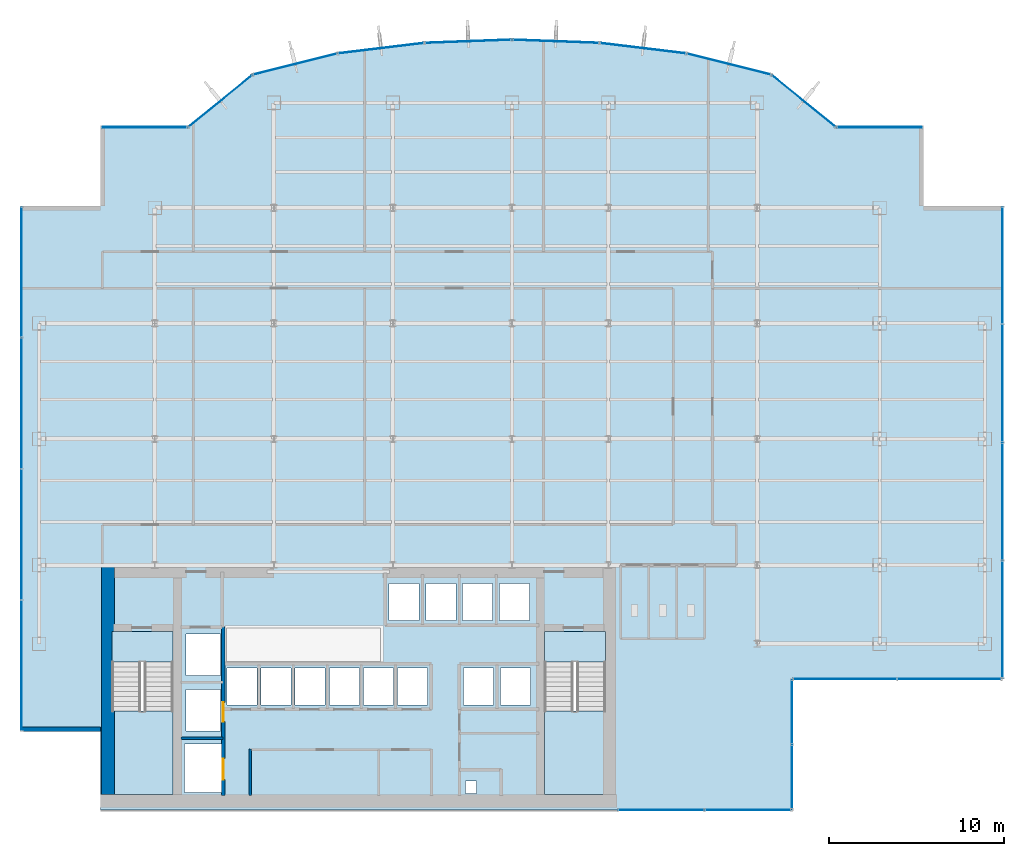
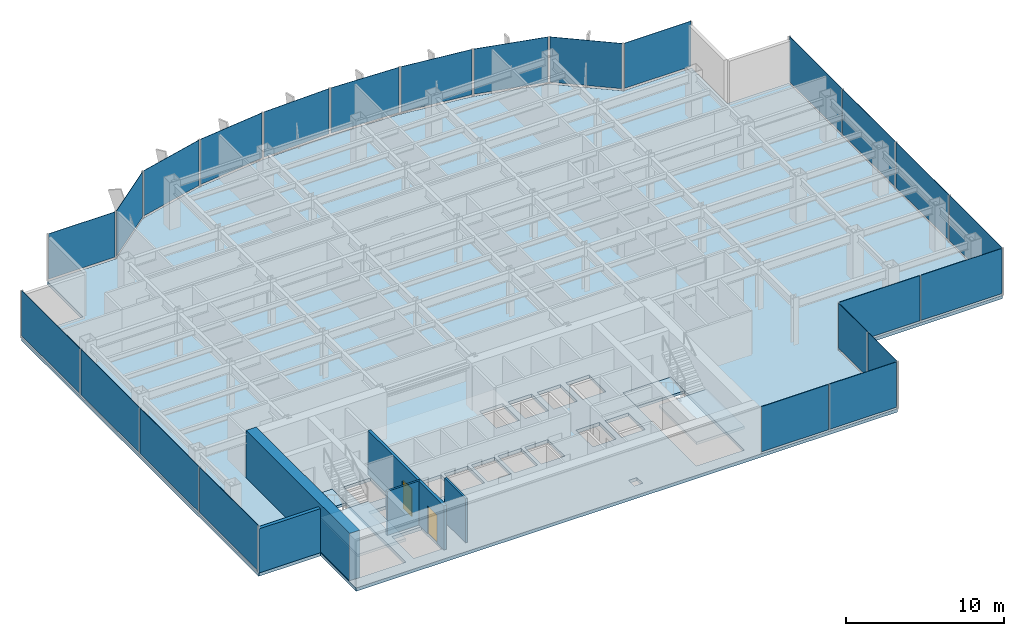
# One storey, part 20 of 26: 24 plates, 5 slabs, 5 walls, 2 doors, 2 openings, 17 elements without a shape of their own.
"""IFC4 building model written with IfcOpenShell, lengths in metres."""

from ifc_helpers import new_model, si_unit, derived_unit, direction, frame, frame_2d, origin, origin_2d, place, context, subcontext, project, spatial, polyline, rectangle, outline, extrude, source, transform, mapped, material, layer, layer_set, type_object, element, fill, aggregate, save


model = new_model("IFC4")

# Units and contexts
model_context = context("Model", 3, precision=1e-05, world=origin(), true_north=direction((0.0, 1.0)))
body_context = subcontext(model_context, "Body", "Model", "MODEL_VIEW")
ifc_project = project(units=[si_unit("LENGTHUNIT", "METRE"), si_unit("AREAUNIT", "SQUARE_METRE"), si_unit("VOLUMEUNIT", "CUBIC_METRE"), si_unit("PLANEANGLEUNIT", "RADIAN"), si_unit("MASSUNIT", "GRAM", prefix="KILO"), derived_unit("THERMALTRANSMITTANCEUNIT", [(si_unit("POWERUNIT", "WATT"), 1), (si_unit("LENGTHUNIT", "METRE"), -2), (si_unit("THERMODYNAMICTEMPERATUREUNIT", "KELVIN"), -1)])], contexts=[model_context])

# Site, building, storey
site_placement = place(None, origin())
site = spatial("IfcSite", under=ifc_project, at=site_placement, CompositionType="ELEMENT")
building_placement = place(site_placement, origin())
building = spatial("IfcBuilding", under=site, at=building_placement, Name="Skarnbrae Concourse Arena and Tower", CompositionType="ELEMENT")
storey_placement = place(building_placement, frame((0.0, 0.0, 121.5)))
storey = spatial("IfcBuildingStorey", under=building, at=storey_placement, Name="L30", CompositionType="ELEMENT", Elevation=121.5)

# Stair, slab
ifc_material_1 = material(Name="Concrete 40 MPa (C40/50)", Category="concrete")
stair_type = type_object("IfcStairType", Name="STAIR-DOGLEG-1650", PredefinedType="HALF_TURN_STAIR", material=ifc_material_1)
stair_1_placement = place(storey_placement, origin())
stair_1 = element("IfcStair", 1, at=stair_1_placement, inside=storey, type_object=stair_type, Name="L30 Protected Exit Stair ST-1", PredefinedType="HALF_TURN_STAIR")
ifc_layer_1 = layer(ifc_material_1, 0.199951171875)
ifc_layer_set_1 = layer_set([ifc_layer_1], Name="Concrete 40 MPa (C40/50)")
slab_type_1 = type_object("IfcSlabType", Name="SLAB-LANDING-200", PredefinedType="LANDING", material=ifc_layer_set_1)
slab_1_placement = place(storey_placement, frame((0.0, 0.0, 1.625)))
slab_1 = element("IfcSlab", 2, at=slab_1_placement, type_object=slab_type_1, Name="ST-1 landing 1", PredefinedType="LANDING", context=body_context, shape_type="SweptSolid", body=[
    extrude(outline(polyline([(5.14990234375, 5.64990234375), (5.14990234375, 0.89990234375), (8.64990234375, 0.89990234375), (8.64990234375, 5.64990234375), (5.14990234375, 5.64990234375)])), origin(), (0.0, 0.0, 1.0), 0.199951171875),
])
aggregate(stair_1, [slab_1])

stair_2_placement = place(storey_placement, origin())
stair_2 = element("IfcStair", 3, at=stair_2_placement, inside=storey, type_object=stair_type, Name="L30 Protected Exit Stair ST-2", PredefinedType="HALF_TURN_STAIR")
slab_2_placement = place(storey_placement, frame((0.0, 0.0, 1.625)))
slab_2 = element("IfcSlab", 4, at=slab_2_placement, type_object=slab_type_1, Name="ST-2 landing 1", PredefinedType="LANDING", context=body_context, shape_type="SweptSolid", body=[
    extrude(outline(polyline([(29.85009765625, 5.64990234375), (29.85009765625, 0.89990234375), (33.35009765625, 0.89990234375), (33.35009765625, 5.64990234375), (29.85009765625, 5.64990234375)])), origin(), (0.0, 0.0, 1.0), 0.199951171875),
])
aggregate(stair_2, [slab_2])

# Slabs
slab_3_placement = place(storey_placement, frame((0.0, 0.0, -0.199951171875)))
element("IfcSlab", 5, at=slab_3_placement, inside=storey, type_object=slab_type_1, Name="L30 Core stair ST1 floor landing", PredefinedType="LANDING", context=body_context, shape_type="SweptSolid", body=[
    extrude(outline(polyline([(5.14990234375, 10.199951171875), (5.14990234375, 8.449951171875), (8.64990234375, 8.449951171875), (8.64990234375, 10.199951171875), (5.14990234375, 10.199951171875)])), origin(), (0.0, 0.0, 1.0), 0.199951171875),
])
slab_4_placement = place(storey_placement, frame((0.0, 0.0, -0.199951171875)))
element("IfcSlab", 6, at=slab_4_placement, inside=storey, type_object=slab_type_1, Name="L30 Core stair ST2 floor landing", PredefinedType="LANDING", context=body_context, shape_type="SweptSolid", body=[
    extrude(outline(polyline([(29.85009765625, 10.199951171875), (29.85009765625, 8.449951171875), (33.35009765625, 8.449951171875), (33.35009765625, 10.199951171875), (29.85009765625, 10.199951171875)])), origin(), (0.0, 0.0, 1.0), 0.199951171875),
])
ifc_layer_2 = layer(ifc_material_1, 0.25)
ifc_layer_set_2 = layer_set([ifc_layer_2], Name="Concrete 40 MPa (C40/50)")
slab_type_2 = type_object("IfcSlabType", Name="SLAB-TOWER-250", PredefinedType="FLOOR", material=ifc_layer_set_2)
slab_5_placement = place(storey_placement, frame((0.0, 0.0, -0.25)))
element("IfcSlab", 7, at=slab_5_placement, inside=storey, type_object=slab_type_2, Name="L30 Structural floor slab", PredefinedType="FLOOR", context=body_context, shape_type="SweptSolid", body=[
    extrude(outline(polyline([(4.5, 0.0), (44.0, 0.0), (44.0, 7.5), (56.0, 7.5), (56.0, 34.5), (51.5, 34.5), (51.5, 39.0), (46.5, 39.0), (42.81103515625, 41.99609375), (37.964111328125, 43.212890625), (32.998779296875, 43.81396484375), (28.0, 44.0), (23.001220703125, 43.81396484375), (18.035888671875, 43.212890625), (13.18896484375, 41.99609375), (9.5, 39.0), (4.5, 39.0), (4.5, 34.5), (0.0, 34.5), (0.0, 4.5), (4.5, 4.5), (4.5, 0.0)]), holes=[polyline([(9.294921875, 3.780029296875), (11.455078125, 3.780029296875), (11.455078125, 1.02001953125), (9.294921875, 1.02001953125), (9.294921875, 3.780029296875)]), polyline([(8.64990234375, 10.199951171875), (8.64990234375, 0.89990234375), (5.14990234375, 0.89990234375), (5.14990234375, 10.199951171875), (8.64990234375, 10.199951171875)]), polyline([(9.39501953125, 6.8798828125), (11.35498046875, 6.8798828125), (11.35498046875, 4.52001953125), (9.39501953125, 4.52001953125), (9.39501953125, 6.8798828125)]), polyline([(11.719970703125, 8.10498046875), (13.429931640625, 8.10498046875), (13.429931640625, 5.9951171875), (11.719970703125, 5.9951171875), (11.719970703125, 8.10498046875)]), polyline([(13.669921875, 8.10498046875), (15.3798828125, 8.10498046875), (15.3798828125, 5.9951171875), (13.669921875, 5.9951171875), (13.669921875, 8.10498046875)]), polyline([(15.6201171875, 8.10498046875), (17.330078125, 8.10498046875), (17.330078125, 5.9951171875), (15.6201171875, 5.9951171875), (15.6201171875, 8.10498046875)]), polyline([(17.570068359375, 8.10498046875), (19.280029296875, 8.10498046875), (19.280029296875, 5.9951171875), (17.570068359375, 5.9951171875), (17.570068359375, 8.10498046875)]), polyline([(21.22998046875, 8.10498046875), (21.22998046875, 5.9951171875), (19.52001953125, 5.9951171875), (19.52001953125, 8.10498046875), (21.22998046875, 8.10498046875)]), polyline([(11.35498046875, 10.054931640625), (11.35498046875, 7.695068359375), (9.39501953125, 7.695068359375), (9.39501953125, 10.054931640625), (11.35498046875, 10.054931640625)]), polyline([(25.35009765625, 1.669921875), (25.9599609375, 1.669921875), (25.9599609375, 0.949951171875), (25.35009765625, 0.949951171875), (25.35009765625, 1.669921875)]), polyline([(33.35009765625, 10.199951171875), (33.35009765625, 0.89990234375), (29.85009765625, 0.89990234375), (29.85009765625, 10.199951171875), (33.35009765625, 10.199951171875)]), polyline([(21.469970703125, 8.10498046875), (23.179931640625, 8.10498046875), (23.179931640625, 5.9951171875), (21.469970703125, 5.9951171875), (21.469970703125, 8.10498046875)]), polyline([(25.235107421875, 8.10498046875), (26.945068359375, 8.10498046875), (26.945068359375, 5.9951171875), (25.235107421875, 5.9951171875), (25.235107421875, 8.10498046875)]), polyline([(27.3349609375, 8.10498046875), (29.044921875, 8.10498046875), (29.044921875, 5.9951171875), (27.3349609375, 5.9951171875), (27.3349609375, 8.10498046875)]), polyline([(20.985107421875, 12.955078125), (22.695068359375, 12.955078125), (22.695068359375, 10.844970703125), (20.985107421875, 10.844970703125), (20.985107421875, 12.955078125)]), polyline([(23.0849609375, 12.955078125), (24.794921875, 12.955078125), (24.794921875, 10.844970703125), (23.0849609375, 10.844970703125), (23.0849609375, 12.955078125)]), polyline([(26.89501953125, 12.955078125), (26.89501953125, 10.844970703125), (25.18505859375, 10.844970703125), (25.18505859375, 12.955078125), (26.89501953125, 12.955078125)]), polyline([(28.9951171875, 12.955078125), (28.9951171875, 10.844970703125), (27.284912109375, 10.844970703125), (27.284912109375, 12.955078125), (28.9951171875, 12.955078125)])]), origin(), (0.0, 0.0, 1.0), 0.25),
])

# Curtain wall, plates
ifc_material_2 = material(Name="Bronze anodised aluminium 6063-T6", Category="aluminium")
curtain_wall_type = type_object("IfcCurtainWallType", Name="CW-SYS-04-MIDZONE", PredefinedType="USERDEFINED", material=ifc_material_2)
curtain_wall_1_placement = place(storey_placement, origin())
curtain_wall_1 = element("IfcCurtainWall", 8, at=curtain_wall_1_placement, inside=storey, type_object=curtain_wall_type, Name="L30 Unitised curtain wall CW-L30-SE-SPINE", ObjectType="UNITISED CURTAIN WALL", PredefinedType="USERDEFINED")
ifc_material_3 = material(Name="Low-E triple insulating glass", Category="glass")
ifc_layer_3 = layer(ifc_material_3, 0.031982421875)
ifc_layer_set_3 = layer_set([ifc_layer_3], Name="Low-E triple insulating glass")
plate_type = type_object("IfcPlateType", Name="CWP-CW-04", PredefinedType="CURTAIN_PANEL", material=ifc_layer_set_3)
shared_shape_1 = source(origin(), body_context, "Body", "SweptSolid", [
    extrude(rectangle(XDim=4.887451171875, YDim=0.031982421875, at=origin_2d()), origin(), (0.0, 0.0, 1.0), 3.489990234375),
])
plate_1_placement = place(storey_placement, frame((36.518798828125, 0.0, 0.16015625), z_axis=(0.0, 0.0, 1.0), x_axis=(1.0, 0.0, 0.0)))
plate_1 = element("IfcPlate", 9, at=plate_1_placement, type_object=plate_type, Name="CW-L30-SE-SPINE Low-E Glazing Panel 1", PredefinedType="CURTAIN_PANEL", context=body_context, shape_type="MappedRepresentation", body=[
    mapped(shared_shape_1, transform((0.0, 0.0, 0.0))),
])
plate_2_placement = place(storey_placement, frame((41.481201171875, 0.0, 0.16015625), z_axis=(0.0, 0.0, 1.0), x_axis=(1.0, 0.0, 0.0)))
plate_2 = element("IfcPlate", 10, at=plate_2_placement, type_object=plate_type, Name="CW-L30-SE-SPINE Low-E Glazing Panel 2", PredefinedType="CURTAIN_PANEL", context=body_context, shape_type="MappedRepresentation", body=[
    mapped(shared_shape_1, transform((0.0, 0.0, 0.0))),
])
aggregate(curtain_wall_1, [plate_1, plate_2])

curtain_wall_2_placement = place(storey_placement, origin())
curtain_wall_2 = element("IfcCurtainWall", 11, at=curtain_wall_2_placement, inside=storey, type_object=curtain_wall_type, Name="L30 Unitised curtain wall CW-L30-E02", ObjectType="UNITISED CURTAIN WALL", PredefinedType="USERDEFINED")
shared_shape_2 = source(origin(), body_context, "Body", "SweptSolid", [
    extrude(rectangle(XDim=3.637451171875, YDim=0.031982421875, at=origin_2d()), origin(), (0.0, 0.0, 1.0), 3.489990234375),
])
plate_3_placement = place(storey_placement, frame((44.0, 1.893798828125, 0.16015625), z_axis=(0.0, 0.0, 1.0), x_axis=(0.0, 1.0, 0.0)))
plate_3 = element("IfcPlate", 12, at=plate_3_placement, type_object=plate_type, Name="CW-L30-E02 Low-E Glazing Panel 1", PredefinedType="CURTAIN_PANEL", context=body_context, shape_type="MappedRepresentation", body=[
    mapped(shared_shape_2, transform((0.0, 0.0, 0.0))),
])
plate_4_placement = place(storey_placement, frame((44.0, 5.606201171875, 0.16015625), z_axis=(0.0, 0.0, 1.0), x_axis=(0.0, 1.0, 0.0)))
plate_4 = element("IfcPlate", 13, at=plate_4_placement, type_object=plate_type, Name="CW-L30-E02 Low-E Glazing Panel 2", PredefinedType="CURTAIN_PANEL", context=body_context, shape_type="MappedRepresentation", body=[
    mapped(shared_shape_2, transform((0.0, 0.0, 0.0))),
])
aggregate(curtain_wall_2, [plate_3, plate_4])

curtain_wall_3_placement = place(storey_placement, origin())
curtain_wall_3 = element("IfcCurtainWall", 14, at=curtain_wall_3_placement, inside=storey, type_object=curtain_wall_type, Name="L30 Unitised curtain wall CW-L30-E03", ObjectType="UNITISED CURTAIN WALL", PredefinedType="USERDEFINED")
shared_shape_3 = source(origin(), body_context, "Body", "SweptSolid", [
    extrude(rectangle(XDim=5.887451171875, YDim=0.031982421875, at=origin_2d()), origin(), (0.0, 0.0, 1.0), 3.489990234375),
])
plate_5_placement = place(storey_placement, frame((47.018798828125, 7.5, 0.16015625), z_axis=(0.0, 0.0, 1.0), x_axis=(1.0, 0.0, 0.0)))
plate_5 = element("IfcPlate", 15, at=plate_5_placement, type_object=plate_type, Name="CW-L30-E03 Low-E Glazing Panel 1", PredefinedType="CURTAIN_PANEL", context=body_context, shape_type="MappedRepresentation", body=[
    mapped(shared_shape_3, transform((0.0, 0.0, 0.0))),
])
plate_6_placement = place(storey_placement, frame((52.981201171875, 7.5, 0.16015625), z_axis=(0.0, 0.0, 1.0), x_axis=(1.0, 0.0, 0.0)))
plate_6 = element("IfcPlate", 16, at=plate_6_placement, type_object=plate_type, Name="CW-L30-E03 Low-E Glazing Panel 2", PredefinedType="CURTAIN_PANEL", context=body_context, shape_type="MappedRepresentation", body=[
    mapped(shared_shape_3, transform((0.0, 0.0, 0.0))),
])
aggregate(curtain_wall_3, [plate_5, plate_6])

# Curtain wall, plate
curtain_wall_4_placement = place(storey_placement, origin())
curtain_wall_4 = element("IfcCurtainWall", 17, at=curtain_wall_4_placement, inside=storey, type_object=curtain_wall_type, Name="L30 Unitised curtain wall CW-L30-E07", ObjectType="UNITISED CURTAIN WALL", PredefinedType="USERDEFINED")
shared_shape_4 = source(origin(), body_context, "Body", "SweptSolid", [
    extrude(rectangle(XDim=4.85009765625, YDim=0.031982421875, at=origin_2d()), origin(), (0.0, 0.0, 1.0), 3.489990234375),
])
plate_7_placement = place(storey_placement, frame((49.0, 39.0, 0.16015625), z_axis=(0.0, 0.0, 1.0), x_axis=(-1.0, 0.0, 0.0)))
plate_7 = element("IfcPlate", 18, at=plate_7_placement, type_object=plate_type, Name="CW-L30-E07 Low-E Glazing Panel 1", PredefinedType="CURTAIN_PANEL", context=body_context, shape_type="MappedRepresentation", body=[
    mapped(shared_shape_4, transform((0.0, 0.0, 0.0))),
])
aggregate(curtain_wall_4, [plate_7])

curtain_wall_5_placement = place(storey_placement, origin())
curtain_wall_5 = element("IfcCurtainWall", 19, at=curtain_wall_5_placement, inside=storey, type_object=curtain_wall_type, Name="L30 Unitised curtain wall CW-L30-E16", ObjectType="UNITISED CURTAIN WALL", PredefinedType="USERDEFINED")
plate_8_placement = place(storey_placement, frame((7.0, 39.0, 0.16015625), z_axis=(0.0, 0.0, 1.0), x_axis=(-1.0, 0.0, 0.0)))
plate_8 = element("IfcPlate", 20, at=plate_8_placement, type_object=plate_type, Name="CW-L30-E16 Low-E Glazing Panel 1", PredefinedType="CURTAIN_PANEL", context=body_context, shape_type="MappedRepresentation", body=[
    mapped(shared_shape_4, transform((0.0, 0.0, 0.0))),
])
aggregate(curtain_wall_5, [plate_8])

curtain_wall_6_placement = place(storey_placement, origin())
curtain_wall_6 = element("IfcCurtainWall", 21, at=curtain_wall_6_placement, inside=storey, type_object=curtain_wall_type, Name="L30 Unitised curtain wall CW-L30-E08", ObjectType="UNITISED CURTAIN WALL", PredefinedType="USERDEFINED")
shared_shape_5 = source(origin(), body_context, "Body", "SweptSolid", [
    extrude(rectangle(XDim=4.602294921875, YDim=0.031982421875, at=origin_2d()), origin(), (0.0, 0.0, 1.0), 3.489990234375),
])
plate_9_placement = place(storey_placement, frame((44.655517578125, 40.498046875, 0.16015625), z_axis=(0.0, 0.0, 1.0), x_axis=(-0.776241200471, 0.630436038542, 0.0)))
plate_9 = element("IfcPlate", 22, at=plate_9_placement, type_object=plate_type, Name="CW-L30-E08 Low-E Glazing Panel 1", PredefinedType="CURTAIN_PANEL", context=body_context, shape_type="MappedRepresentation", body=[
    mapped(shared_shape_5, transform((0.0, 0.0, 0.0))),
])
aggregate(curtain_wall_6, [plate_9])

curtain_wall_7_placement = place(storey_placement, origin())
curtain_wall_7 = element("IfcCurtainWall", 23, at=curtain_wall_7_placement, inside=storey, type_object=curtain_wall_type, Name="L30 Unitised curtain wall CW-L30-E15", ObjectType="UNITISED CURTAIN WALL", PredefinedType="USERDEFINED")
plate_10_placement = place(storey_placement, frame((11.344482421875, 40.498046875, 0.16015625), z_axis=(0.0, 0.0, 1.0), x_axis=(-0.776241200471, -0.630436038542, 0.0)))
plate_10 = element("IfcPlate", 24, at=plate_10_placement, type_object=plate_type, Name="CW-L30-E15 Low-E Glazing Panel 1", PredefinedType="CURTAIN_PANEL", context=body_context, shape_type="MappedRepresentation", body=[
    mapped(shared_shape_5, transform((0.0, 0.0, 0.0))),
])
aggregate(curtain_wall_7, [plate_10])

curtain_wall_8_placement = place(storey_placement, origin())
curtain_wall_8 = element("IfcCurtainWall", 25, at=curtain_wall_8_placement, inside=storey, type_object=curtain_wall_type, Name="L30 Unitised curtain wall CW-L30-E09", ObjectType="UNITISED CURTAIN WALL", PredefinedType="USERDEFINED")
shared_shape_6 = source(origin(), body_context, "Body", "SweptSolid", [
    extrude(rectangle(XDim=4.847412109375, YDim=0.031982421875, at=origin_2d()), origin(), (0.0, 0.0, 1.0), 3.489990234375),
])
plate_11_placement = place(storey_placement, frame((40.3876953125, 42.6044921875, 0.16015625), z_axis=(0.0, 0.0, 1.0), x_axis=(-0.969903046166, 0.243491439351, 0.0)))
plate_11 = element("IfcPlate", 26, at=plate_11_placement, type_object=plate_type, Name="CW-L30-E09 Low-E Glazing Panel 1", PredefinedType="CURTAIN_PANEL", context=body_context, shape_type="MappedRepresentation", body=[
    mapped(shared_shape_6, transform((0.0, 0.0, 0.0))),
])
aggregate(curtain_wall_8, [plate_11])

curtain_wall_9_placement = place(storey_placement, origin())
curtain_wall_9 = element("IfcCurtainWall", 27, at=curtain_wall_9_placement, inside=storey, type_object=curtain_wall_type, Name="L30 Unitised curtain wall CW-L30-E14", ObjectType="UNITISED CURTAIN WALL", PredefinedType="USERDEFINED")
plate_12_placement = place(storey_placement, frame((15.6123046875, 42.6044921875, 0.16015625), z_axis=(0.0, 0.0, 1.0), x_axis=(-0.969903046166, -0.243491439351, 0.0)))
plate_12 = element("IfcPlate", 28, at=plate_12_placement, type_object=plate_type, Name="CW-L30-E14 Low-E Glazing Panel 1", PredefinedType="CURTAIN_PANEL", context=body_context, shape_type="MappedRepresentation", body=[
    mapped(shared_shape_6, transform((0.0, 0.0, 0.0))),
])
aggregate(curtain_wall_9, [plate_12])

curtain_wall_10_placement = place(storey_placement, origin())
curtain_wall_10 = element("IfcCurtainWall", 29, at=curtain_wall_10_placement, inside=storey, type_object=curtain_wall_type, Name="L30 Unitised curtain wall CW-L30-E10", ObjectType="UNITISED CURTAIN WALL", PredefinedType="USERDEFINED")
shared_shape_7 = source(origin(), body_context, "Body", "SweptSolid", [
    extrude(rectangle(XDim=4.8515625, YDim=0.031982421875, at=origin_2d()), origin(), (0.0, 0.0, 1.0), 3.489990234375),
])
plate_13_placement = place(storey_placement, frame((35.4814453125, 43.513427734375, 0.16015625), z_axis=(0.0, 0.0, 1.0), x_axis=(-0.992749371969, 0.120202680731, 0.0)))
plate_13 = element("IfcPlate", 30, at=plate_13_placement, type_object=plate_type, Name="CW-L30-E10 Low-E Glazing Panel 1", PredefinedType="CURTAIN_PANEL", context=body_context, shape_type="MappedRepresentation", body=[
    mapped(shared_shape_7, transform((0.0, 0.0, 0.0))),
])
aggregate(curtain_wall_10, [plate_13])

curtain_wall_11_placement = place(storey_placement, origin())
curtain_wall_11 = element("IfcCurtainWall", 31, at=curtain_wall_11_placement, inside=storey, type_object=curtain_wall_type, Name="L30 Unitised curtain wall CW-L30-E13", ObjectType="UNITISED CURTAIN WALL", PredefinedType="USERDEFINED")
plate_14_placement = place(storey_placement, frame((20.5185546875, 43.513427734375, 0.16015625), z_axis=(0.0, 0.0, 1.0), x_axis=(-0.992749371969, -0.120202680731, 0.0)))
plate_14 = element("IfcPlate", 32, at=plate_14_placement, type_object=plate_type, Name="CW-L30-E13 Low-E Glazing Panel 1", PredefinedType="CURTAIN_PANEL", context=body_context, shape_type="MappedRepresentation", body=[
    mapped(shared_shape_7, transform((0.0, 0.0, 0.0))),
])
aggregate(curtain_wall_11, [plate_14])

curtain_wall_12_placement = place(storey_placement, origin())
curtain_wall_12 = element("IfcCurtainWall", 33, at=curtain_wall_12_placement, inside=storey, type_object=curtain_wall_type, Name="L30 Unitised curtain wall CW-L30-E11", ObjectType="UNITISED CURTAIN WALL", PredefinedType="USERDEFINED")
shared_shape_8 = source(origin(), body_context, "Body", "SweptSolid", [
    extrude(rectangle(XDim=4.852294921875, YDim=0.031982421875, at=origin_2d()), origin(), (0.0, 0.0, 1.0), 3.489990234375),
])
plate_15_placement = place(storey_placement, frame((30.49951171875, 43.906982421875, 0.16015625), z_axis=(0.0, 0.0, 1.0), x_axis=(-0.999308486252, 0.037182647889, 0.0)))
plate_15 = element("IfcPlate", 34, at=plate_15_placement, type_object=plate_type, Name="CW-L30-E11 Low-E Glazing Panel 1", PredefinedType="CURTAIN_PANEL", context=body_context, shape_type="MappedRepresentation", body=[
    mapped(shared_shape_8, transform((0.0, 0.0, 0.0))),
])
aggregate(curtain_wall_12, [plate_15])

curtain_wall_13_placement = place(storey_placement, origin())
curtain_wall_13 = element("IfcCurtainWall", 35, at=curtain_wall_13_placement, inside=storey, type_object=curtain_wall_type, Name="L30 Unitised curtain wall CW-L30-E12", ObjectType="UNITISED CURTAIN WALL", PredefinedType="USERDEFINED")
plate_16_placement = place(storey_placement, frame((25.50048828125, 43.906982421875, 0.16015625), z_axis=(0.0, 0.0, 1.0), x_axis=(-0.999308486252, -0.037182647889, 0.0)))
plate_16 = element("IfcPlate", 36, at=plate_16_placement, type_object=plate_type, Name="CW-L30-E12 Low-E Glazing Panel 1", PredefinedType="CURTAIN_PANEL", context=body_context, shape_type="MappedRepresentation", body=[
    mapped(shared_shape_8, transform((0.0, 0.0, 0.0))),
])
aggregate(curtain_wall_13, [plate_16])

# Curtain wall, plates
curtain_wall_14_placement = place(storey_placement, origin())
curtain_wall_14 = element("IfcCurtainWall", 37, at=curtain_wall_14_placement, inside=storey, type_object=curtain_wall_type, Name="L30 Unitised curtain wall CW-L30-E19", ObjectType="UNITISED CURTAIN WALL", PredefinedType="USERDEFINED")
shared_shape_9 = source(origin(), body_context, "Body", "SweptSolid", [
    extrude(rectangle(XDim=7.387451171875, YDim=0.031982421875, at=origin_2d()), origin(), (0.0, 0.0, 1.0), 3.489990234375),
])
plate_17_placement = place(storey_placement, frame((0.0, 30.731201171875, 0.16015625), z_axis=(0.0, 0.0, 1.0), x_axis=(0.0, -1.0, 0.0)))
plate_17 = element("IfcPlate", 38, at=plate_17_placement, type_object=plate_type, Name="CW-L30-E19 Low-E Glazing Panel 1", PredefinedType="CURTAIN_PANEL", context=body_context, shape_type="MappedRepresentation", body=[
    mapped(shared_shape_9, transform((0.0, 0.0, 0.0))),
])
plate_18_placement = place(storey_placement, frame((0.0, 8.268798828125, 0.16015625), z_axis=(0.0, 0.0, 1.0), x_axis=(0.0, -1.0, 0.0)))
plate_18 = element("IfcPlate", 39, at=plate_18_placement, type_object=plate_type, Name="CW-L30-E19 Low-E Glazing Panel 4", PredefinedType="CURTAIN_PANEL", context=body_context, shape_type="MappedRepresentation", body=[
    mapped(shared_shape_9, transform((0.0, 0.0, 0.0))),
])
shared_shape_10 = source(origin(), body_context, "Body", "SweptSolid", [
    extrude(rectangle(XDim=7.425048828125, YDim=0.031982421875, at=origin_2d()), origin(), (0.0, 0.0, 1.0), 3.489990234375),
])
plate_19_placement = place(storey_placement, frame((0.0, 23.25, 0.16015625), z_axis=(0.0, 0.0, 1.0), x_axis=(0.0, -1.0, 0.0)))
plate_19 = element("IfcPlate", 40, at=plate_19_placement, type_object=plate_type, Name="CW-L30-E19 Low-E Glazing Panel 2", PredefinedType="CURTAIN_PANEL", context=body_context, shape_type="MappedRepresentation", body=[
    mapped(shared_shape_10, transform((0.0, 0.0, 0.0))),
])
plate_20_placement = place(storey_placement, frame((0.0, 15.75, 0.16015625), z_axis=(0.0, 0.0, 1.0), x_axis=(0.0, -1.0, 0.0)))
plate_20 = element("IfcPlate", 41, at=plate_20_placement, type_object=plate_type, Name="CW-L30-E19 Low-E Glazing Panel 3", PredefinedType="CURTAIN_PANEL", context=body_context, shape_type="MappedRepresentation", body=[
    mapped(shared_shape_10, transform((0.0, 0.0, 0.0))),
])
aggregate(curtain_wall_14, [plate_17, plate_19, plate_20, plate_18])

curtain_wall_15_placement = place(storey_placement, origin())
curtain_wall_15 = element("IfcCurtainWall", 42, at=curtain_wall_15_placement, inside=storey, type_object=curtain_wall_type, Name="L30 Unitised curtain wall CW-L30-E04", ObjectType="UNITISED CURTAIN WALL", PredefinedType="USERDEFINED")
shared_shape_11 = source(origin(), body_context, "Body", "SweptSolid", [
    extrude(rectangle(XDim=6.637451171875, YDim=0.031982421875, at=origin_2d()), origin(), (0.0, 0.0, 1.0), 3.489990234375),
])
plate_21_placement = place(storey_placement, frame((56.0, 10.893798828125, 0.16015625), z_axis=(0.0, 0.0, 1.0), x_axis=(0.0, 1.0, 0.0)))
plate_21 = element("IfcPlate", 43, at=plate_21_placement, type_object=plate_type, Name="CW-L30-E04 Low-E Glazing Panel 1", PredefinedType="CURTAIN_PANEL", context=body_context, shape_type="MappedRepresentation", body=[
    mapped(shared_shape_11, transform((0.0, 0.0, 0.0))),
])
plate_22_placement = place(storey_placement, frame((56.0, 31.106201171875, 0.16015625), z_axis=(0.0, 0.0, 1.0), x_axis=(0.0, 1.0, 0.0)))
plate_22 = element("IfcPlate", 44, at=plate_22_placement, type_object=plate_type, Name="CW-L30-E04 Low-E Glazing Panel 4", PredefinedType="CURTAIN_PANEL", context=body_context, shape_type="MappedRepresentation", body=[
    mapped(shared_shape_11, transform((0.0, 0.0, 0.0))),
])
shared_shape_12 = source(origin(), body_context, "Body", "SweptSolid", [
    extrude(rectangle(XDim=6.675048828125, YDim=0.031982421875, at=origin_2d()), origin(), (0.0, 0.0, 1.0), 3.489990234375),
])
plate_23_placement = place(storey_placement, frame((56.0, 17.625, 0.16015625), z_axis=(0.0, 0.0, 1.0), x_axis=(0.0, 1.0, 0.0)))
plate_23 = element("IfcPlate", 45, at=plate_23_placement, type_object=plate_type, Name="CW-L30-E04 Low-E Glazing Panel 2", PredefinedType="CURTAIN_PANEL", context=body_context, shape_type="MappedRepresentation", body=[
    mapped(shared_shape_12, transform((0.0, 0.0, 0.0))),
])
plate_24_placement = place(storey_placement, frame((56.0, 24.375, 0.16015625), z_axis=(0.0, 0.0, 1.0), x_axis=(0.0, 1.0, 0.0)))
plate_24 = element("IfcPlate", 46, at=plate_24_placement, type_object=plate_type, Name="CW-L30-E04 Low-E Glazing Panel 3", PredefinedType="CURTAIN_PANEL", context=body_context, shape_type="MappedRepresentation", body=[
    mapped(shared_shape_12, transform((0.0, 0.0, 0.0))),
])
aggregate(curtain_wall_15, [plate_21, plate_23, plate_24, plate_22])

# Walls
ifc_material_4 = material(Name="Concrete 60 MPa (C60/75)", Category="concrete")
ifc_layer_4 = layer(ifc_material_4, 0.75)
ifc_layer_set_4 = layer_set([ifc_layer_4], Name="Concrete 60 MPa (C60/75)")
wall_type_1 = type_object("IfcWallType", Name="WALL-CORE-750-C60", PredefinedType="SHEAR", material=ifc_layer_set_4)
shared_shape_13 = source(origin(), body_context, "Body", "SweptSolid", [
    extrude(rectangle(XDim=13.10009765625, YDim=0.75, at=frame_2d((6.550048828125, 0.0))), origin(), (0.0, 0.0, 1.0), 3.64990234375),
])
wall_1_placement = place(storey_placement, frame((4.925048828125, 0.89990234375, 0.0), z_axis=(0.0, 0.0, 1.0), x_axis=(0.0, 1.0, 0.0)))
element("IfcWall", 47, at=wall_1_placement, inside=storey, type_object=wall_type_1, Name="L30 Rear core shear wall CW-W", PredefinedType="SHEAR", context=body_context, shape_type="MappedRepresentation", body=[
    mapped(shared_shape_13, transform((0.0, 0.0, 0.0))),
])
ifc_material_5 = material(Name="Precast concrete 40 MPa (C40/50)", Category="concrete")
ifc_layer_5 = layer(ifc_material_5, 0.25)
ifc_layer_set_5 = layer_set([ifc_layer_5], Name="Precast concrete 40 MPa (C40/50)")
wall_type_2 = type_object("IfcWallType", Name="WALL-EXT-SPANDREL-250", PredefinedType="STANDARD", material=ifc_layer_set_5)
shared_shape_14 = source(origin(), body_context, "Body", "SweptSolid", [
    extrude(rectangle(XDim=4.5, YDim=0.25, at=frame_2d((2.25, 0.0))), origin(), (0.0, 0.0, 1.0), 3.39990234375),
])
wall_2_placement = place(storey_placement, frame((0.0, 4.625, 0.0), z_axis=(0.0, 0.0, 1.0), x_axis=(1.0, 0.0, 0.0)))
element("IfcWall", 48, at=wall_2_placement, inside=storey, type_object=wall_type_2, Name="L30 Notched corner insulated return wall 20", PredefinedType="STANDARD", context=body_context, shape_type="MappedRepresentation", body=[
    mapped(shared_shape_14, transform((0.0, 0.0, 0.0))),
])

# Wall, openings, doors
ifc_material_6 = material(Name="Gypsum board on cold-formed steel studs", Category="steel")
ifc_layer_6 = layer(ifc_material_6, 0.199951171875)
ifc_layer_set_6 = layer_set([ifc_layer_6], Name="Gypsum board on cold-formed steel studs")
wall_type_3 = type_object("IfcWallType", Name="WALL-PART-200-2HR", PredefinedType="PARTITIONING", material=ifc_layer_set_6)
shared_shape_15 = source(origin(), body_context, "Body", "SweptSolid", [
    extrude(rectangle(XDim=9.599853515625, YDim=0.199951171875, at=frame_2d((4.7998046875, 0.0))), origin(), (0.0, 0.0, 1.0), 3.39990234375),
])
wall_3_placement = place(storey_placement, frame((11.5, 0.85009765625, 0.0), z_axis=(0.0, 0.0, 1.0), x_axis=(0.0, 1.0, 0.0)))
wall_3 = element("IfcWall", 49, at=wall_3_placement, inside=storey, type_object=wall_type_3, Name="L30 Interior partition wall W-L30-FL-E", PredefinedType="PARTITIONING", context=body_context, shape_type="MappedRepresentation", body=[
    mapped(shared_shape_15, transform((0.0, 0.0, 0.0))),
])
opening_1_placement = place(wall_3_placement, frame((4.199951171875, 0.0, 0.0)))
opening_1 = element("IfcOpeningElement", 50, at=opening_1_placement, cuts=wall_3, Name="Opening LD-01", PredefinedType="OPENING", context=body_context, shape_type="SweptSolid", body=[
    extrude(rectangle(XDim=1.10009765625, YDim=2.14990234375, at=frame_2d((0.550048828125, 1.074951171875))), frame((0.0, 0.10986328125, 0.0), z_axis=(0.0, -1.0, 0.0), x_axis=(1.0, 0.0, 0.0)), (0.0, 0.0, 1.0), 0.219970703125),
])
opening_2_placement = place(wall_3_placement, frame((0.89990234375, 0.0, 0.0)))
opening_2 = element("IfcOpeningElement", 51, at=opening_2_placement, cuts=wall_3, Name="Opening LD-02", PredefinedType="OPENING", context=body_context, shape_type="SweptSolid", body=[
    extrude(rectangle(XDim=1.199951171875, YDim=2.14990234375, at=frame_2d((0.60009765625, 1.074951171875))), frame((0.0, 0.10986328125, 0.0), z_axis=(0.0, -1.0, 0.0), x_axis=(1.0, 0.0, 0.0)), (0.0, 0.0, 1.0), 0.219970703125),
])
ifc_material_7 = material(Name="Steel CSA G40.21 350W", Category="steel")
door_type_1 = type_object("IfcDoorType", Name="DOOR-LIFT-SLIDE-1100", OperationType="SLIDING_TO_LEFT", PredefinedType="DOOR", material=ifc_material_7)
shared_shape_16 = source(origin(), body_context, "Body", "SweptSolid", [
    extrude(rectangle(XDim=1.10009765625, YDim=2.14990234375, at=frame_2d((0.550048828125, 1.074951171875))), frame((0.0, 0.02490234375, 0.0), z_axis=(0.0, -1.0, 0.0), x_axis=(1.0, 0.0, 0.0)), (0.0, 0.0, 1.0), 0.050048828125),
])
door_1_placement = place(opening_1_placement, frame((1.10009765625, 0.0, 0.0), z_axis=(0.0, 0.0, 1.0), x_axis=(-1.0, 0.0, 0.0)))
door_1 = element("IfcDoor", 52, at=door_1_placement, inside=storey, type_object=door_type_1, Name="D-0976 Firefighting Lift Landing Door FL-02", OperationType="SLIDING_TO_LEFT", OverallHeight=2.14990234375, OverallWidth=1.10009765625, PredefinedType="DOOR", context=body_context, shape_type="MappedRepresentation", body=[
    mapped(shared_shape_16, transform((0.0, 0.0, 0.0))),
])
fill(opening_1, door_1)
door_type_2 = type_object("IfcDoorType", Name="DOOR-LIFT-SLIDE-1200", OperationType="SLIDING_TO_LEFT", PredefinedType="DOOR", material=ifc_material_7)
shared_shape_17 = source(origin(), body_context, "Body", "SweptSolid", [
    extrude(rectangle(XDim=1.199951171875, YDim=2.14990234375, at=frame_2d((0.60009765625, 1.074951171875))), frame((0.0, 0.02490234375, 0.0), z_axis=(0.0, -1.0, 0.0), x_axis=(1.0, 0.0, 0.0)), (0.0, 0.0, 1.0), 0.050048828125),
])
door_2_placement = place(opening_2_placement, frame((1.199951171875, 0.0, 0.0), z_axis=(0.0, 0.0, 1.0), x_axis=(-1.0, 0.0, 0.0)))
door_2 = element("IfcDoor", 53, at=door_2_placement, inside=storey, type_object=door_type_2, Name="D-0977 Service Lift Landing Door SV-01", OperationType="SLIDING_TO_LEFT", OverallHeight=2.14990234375, OverallWidth=1.199951171875, PredefinedType="DOOR", context=body_context, shape_type="MappedRepresentation", body=[
    mapped(shared_shape_17, transform((0.0, 0.0, 0.0))),
])
fill(opening_2, door_2)

# Walls
ifc_layer_7 = layer(ifc_material_6, 0.14990234375)
ifc_layer_set_7 = layer_set([ifc_layer_7], Name="Gypsum board on cold-formed steel studs")
wall_type_4 = type_object("IfcWallType", Name="WALL-PART-150", PredefinedType="PARTITIONING", material=ifc_layer_set_7)
shared_shape_18 = source(origin(), body_context, "Body", "SweptSolid", [
    extrude(rectangle(XDim=2.39990234375, YDim=0.14990234375, at=frame_2d((1.199951171875, 0.0))), origin(), (0.0, 0.0, 1.0), 3.39990234375),
])
wall_4_placement = place(storey_placement, frame((9.10009765625, 4.10009765625, 0.0), z_axis=(0.0, 0.0, 1.0), x_axis=(1.0, 0.0, 0.0)))
element("IfcWall", 54, at=wall_4_placement, inside=storey, type_object=wall_type_4, Name="L30 Interior partition wall W-L30-FL-D1", PredefinedType="PARTITIONING", context=body_context, shape_type="MappedRepresentation", body=[
    mapped(shared_shape_18, transform((0.0, 0.0, 0.0))),
])
ifc_layer_8 = layer(ifc_material_6, 0.14990234375)
ifc_layer_set_8 = layer_set([ifc_layer_8], Name="Gypsum board on cold-formed steel studs")
wall_type_5 = type_object("IfcWallType", Name="WALL-PART-150-1HR", PredefinedType="PARTITIONING", material=ifc_layer_set_8)
shared_shape_19 = source(origin(), body_context, "Body", "SweptSolid", [
    extrude(rectangle(XDim=2.64990234375, YDim=0.14990234375, at=frame_2d((1.324951171875, 0.0))), origin(), (0.0, 0.0, 1.0), 3.39990234375),
])
wall_5_placement = place(storey_placement, frame((13.050048828125, 0.85009765625, 0.0), z_axis=(0.0, 0.0, 1.0), x_axis=(0.0, 1.0, 0.0)))
element("IfcWall", 55, at=wall_5_placement, inside=storey, type_object=wall_type_5, Name="L30 Interior partition wall W-L30-B1M-W", PredefinedType="PARTITIONING", context=body_context, shape_type="MappedRepresentation", body=[
    mapped(shared_shape_19, transform((0.0, 0.0, 0.0))),
])

save(model, "model.ifc")
